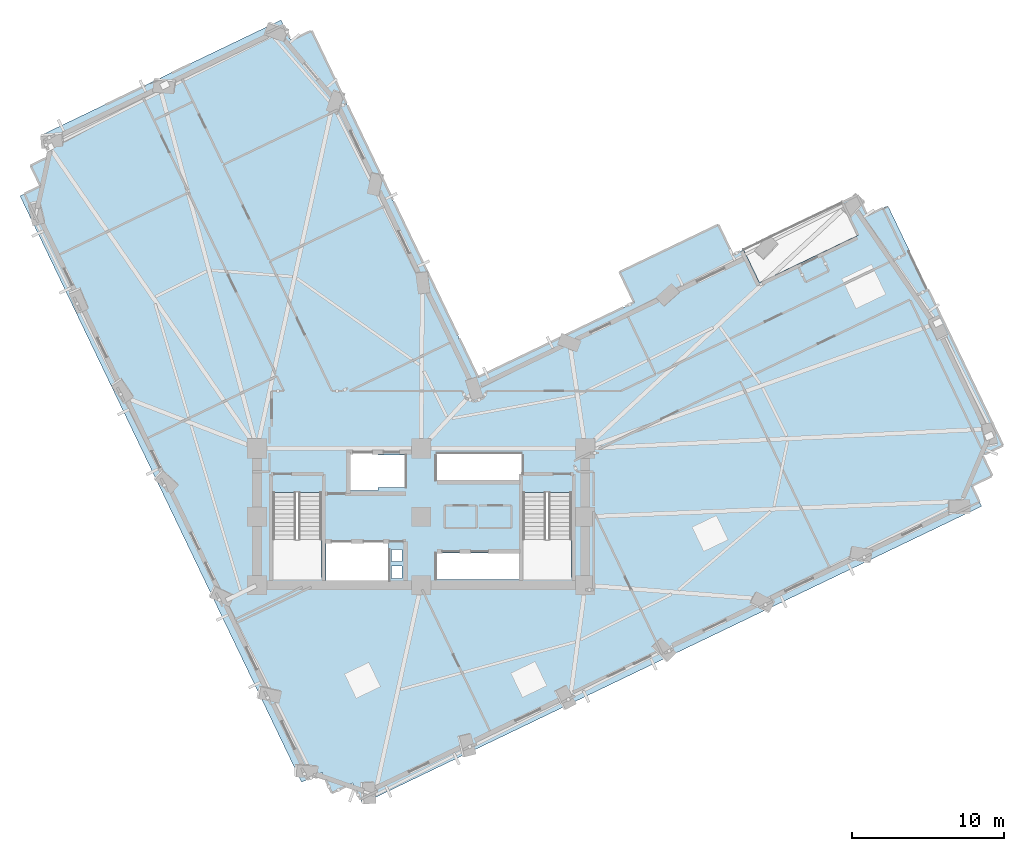
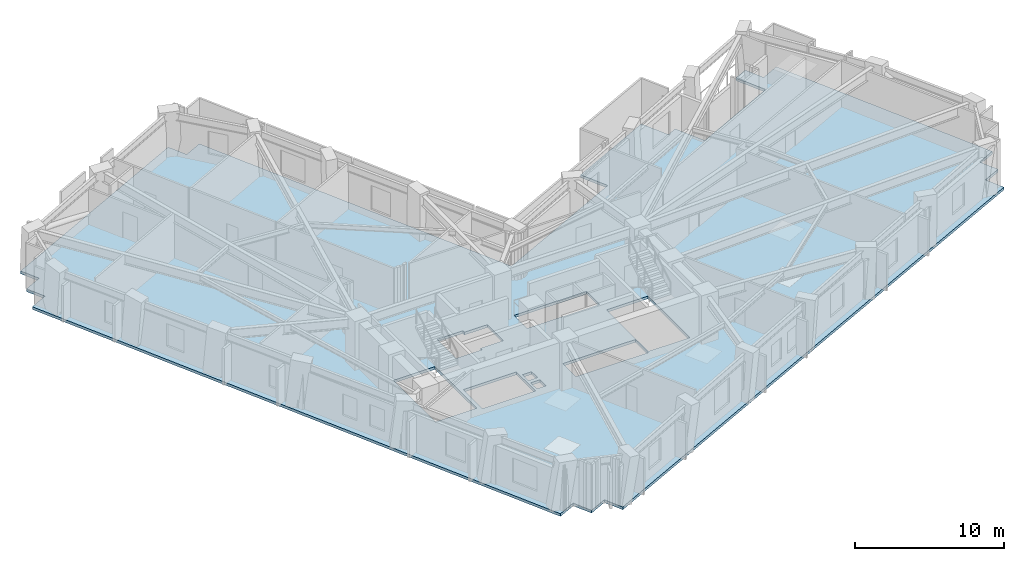
# One storey, part 4 of 16: 1 slab.
"""IFC4 building model written with IfcOpenShell, lengths in metres."""

from ifc_helpers import new_model, si_unit, direction, frame, origin, place, context, subcontext, project, spatial, polyline, outline, extrude, material, layer, layer_set, type_object, element, save


model = new_model("IFC4")

# Units and contexts
model_context = context("Model", 3, precision=1e-05, world=origin(), true_north=direction((0.0, 1.0)))
body_context = subcontext(model_context, "Body", "Model", "MODEL_VIEW")
ifc_project = project(units=[si_unit("LENGTHUNIT", "METRE"), si_unit("AREAUNIT", "SQUARE_METRE"), si_unit("VOLUMEUNIT", "CUBIC_METRE"), si_unit("PLANEANGLEUNIT", "RADIAN"), si_unit("MASSUNIT", "GRAM", prefix="KILO")], contexts=[model_context])

# Site, building, storey
site_placement = place(None, origin())
site = spatial("IfcSite", under=ifc_project, at=site_placement, CompositionType="ELEMENT")
building_placement = place(site_placement, origin())
building = spatial("IfcBuilding", under=site, at=building_placement, Name="Gaonmaruhae Medical Tower", CompositionType="ELEMENT")
storey_placement = place(building_placement, frame((0.0, 0.0, 132.39990234375)))
storey = spatial("IfcBuildingStorey", under=building, at=storey_placement, Name="L31", CompositionType="ELEMENT", Elevation=132.39990234375)

# Slab
ifc_material = material(Name="Concrete C40/50", Category="concrete")
ifc_layer = layer(ifc_material, 0.219970703125)
ifc_layer_set = layer_set([ifc_layer], Name="Concrete C40/50")
slab_type = type_object("IfcSlabType", Name="FS-220 Clinical Ward Composite Floor Slab", PredefinedType="FLOOR", material=ifc_layer_set)
slab_placement = place(storey_placement, frame((0.0, 0.0, -0.219970703125)))
element("IfcSlab", 1, at=slab_placement, inside=storey, type_object=slab_type, Name="L31 Structural Slab 1", PredefinedType="FLOOR", context=body_context, shape_type="SweptSolid", body=[
    extrude(outline(polyline([(54.1572265625, 32.1201171875), (55.509521484375, 32.769287109375), (63.084716796875, 16.993896484375), (61.732421875, 16.344482421875), (62.3818359375, 14.9921875), (61.029541015625, 14.343017578125), (61.678955078125, 12.99072265625), (20.93310546875, -6.574951171875), (20.28369140625, -5.222900390625), (18.931640625, -5.8720703125), (18.2822265625, -4.52001953125), (16.93017578125, -5.169189453125), (-1.5966796875, 33.4130859375), (-0.24462890625, 34.062255859375), (-0.893798828125, 35.41455078125), (0.458251953125, 36.063720703125), (-0.191162109375, 37.416015625), (15.58447265625, 44.9912109375), (16.233642578125, 43.63916015625), (17.5859375, 44.288330078125), (28.53759765625, 21.481689453125), (38.814208984375, 26.416259765625), (37.86181640625, 28.3994140625), (44.352294921875, 31.51611328125), (45.3046875, 29.532958984375), (46.02587890625, 29.87939453125), (47.064697265625, 27.7158203125), (53.55517578125, 30.83251953125), (52.516357421875, 32.99609375), (53.5078125, 33.47216796875), (54.1572265625, 32.1201171875)]), holes=[polyline([(23.550048828125, 8.25), (22.85009765625, 8.25), (22.85009765625, 9.050048828125), (23.550048828125, 9.050048828125), (23.550048828125, 8.25)]), polyline([(25.824951171875, 9.925048828125), (31.425048828125, 9.925048828125), (31.425048828125, 8.175048828125), (25.824951171875, 8.175048828125), (25.824951171875, 9.925048828125)]), polyline([(22.64990234375, 10.625), (22.64990234375, 8.074951171875), (18.550048828125, 8.074951171875), (18.550048828125, 10.625), (22.64990234375, 10.625)]), polyline([(23.550048828125, 9.35009765625), (22.85009765625, 9.35009765625), (22.85009765625, 10.14990234375), (23.550048828125, 10.14990234375), (23.550048828125, 9.35009765625)]), polyline([(15.050048828125, 13.889892578125), (18.25, 13.889892578125), (18.25, 8.300048828125), (15.050048828125, 8.300048828125), (15.050048828125, 13.889892578125)]), polyline([(31.5, 13.889892578125), (34.699951171875, 13.889892578125), (34.699951171875, 8.300048828125), (31.5, 8.300048828125), (31.5, 13.889892578125)]), polyline([(21.949951171875, 14.22509765625), (21.949951171875, 14.02490234375), (19.949951171875, 14.02490234375), (19.949951171875, 16.574951171875), (21.949951171875, 16.574951171875), (21.949951171875, 16.375), (23.72509765625, 16.375), (23.72509765625, 14.22509765625), (21.949951171875, 14.22509765625)]), polyline([(25.824951171875, 16.425048828125), (31.425048828125, 16.425048828125), (31.425048828125, 14.675048828125), (25.824951171875, 14.675048828125), (25.824951171875, 16.425048828125)])]), origin(), (0.0, 0.0, 1.0), 0.219970703125),
])

save(model, "model.ifc")
